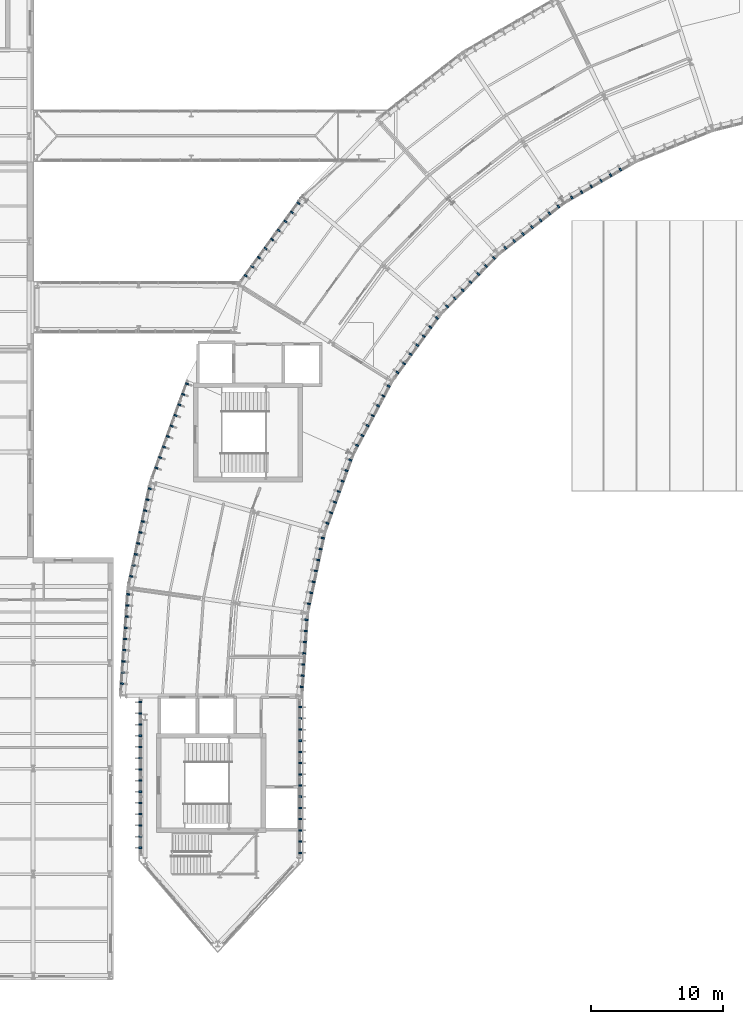
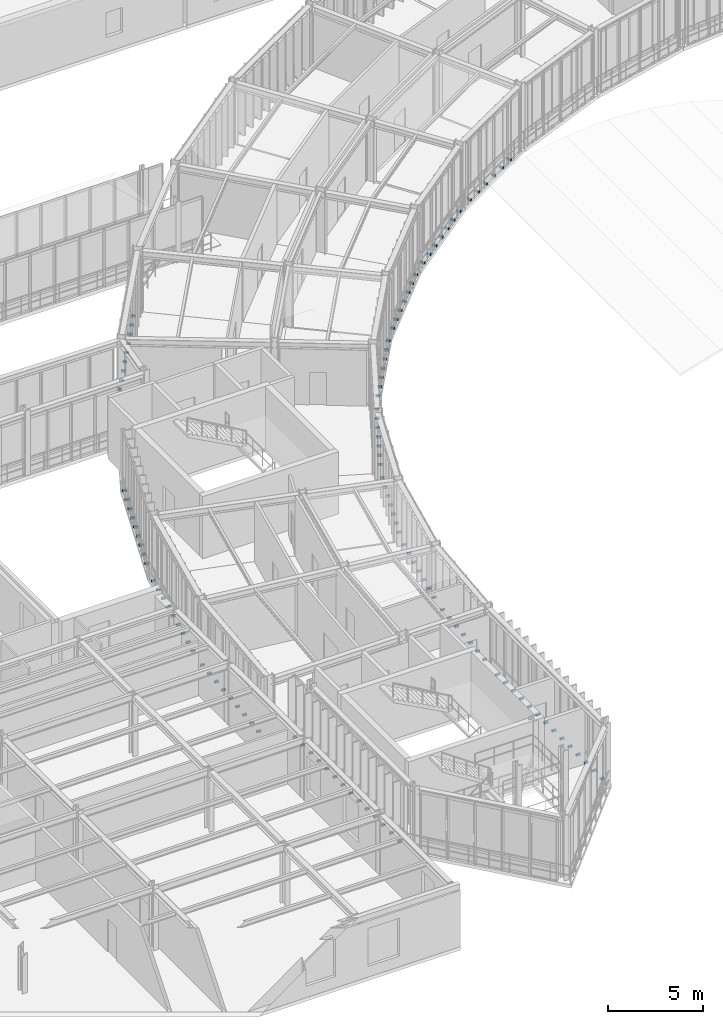
# One storey, part 47 of 57: 119 discrete accessories.
"""IFC4 building model written with IfcOpenShell, lengths in metres."""

from ifc_helpers import new_model, si_unit, direction, frame, origin, origin_2d, place, context, subcontext, project, spatial, rectangle, extrude, material, type_object, element, save


model = new_model("IFC4")

# Units and contexts
model_context = context("Model", 3, precision=1e-05, world=origin(), true_north=direction((0.0, 1.0)))
body_context = subcontext(model_context, "Body", "Model", "MODEL_VIEW")
ifc_project = project(units=[si_unit("LENGTHUNIT", "METRE"), si_unit("AREAUNIT", "SQUARE_METRE"), si_unit("VOLUMEUNIT", "CUBIC_METRE"), si_unit("PLANEANGLEUNIT", "RADIAN"), si_unit("MASSUNIT", "GRAM", prefix="KILO"), si_unit("THERMODYNAMICTEMPERATUREUNIT", "KELVIN"), si_unit("POWERUNIT", "WATT")], contexts=[model_context])

# Site, building, storey
site_placement = place(None, origin())
site = spatial("IfcSite", under=ifc_project, at=site_placement, CompositionType="ELEMENT")
building_placement = place(site_placement, origin())
building = spatial("IfcBuilding", under=site, at=building_placement, Name="Solvatero Civic Police Headquarters", CompositionType="ELEMENT")
storey_placement = place(building_placement, frame((0.0, 0.0, 9.300048828125)))
storey = spatial("IfcBuildingStorey", under=building, at=storey_placement, Name="L02", CompositionType="ELEMENT", Elevation=9.300048828125)

# Discrete accessories
ifc_material = material(Name="Steel S355", Category="steel")
discrete_accessory_type = type_object("IfcDiscreteAccessoryType", Name="ACC-BRK-FIN", PredefinedType="BRACKET", material=ifc_material)
for number, where, z_axis, x_axis, name in (
    (1, (73.04931640625, 65.93505859375, 0.0), (0.0, 0.0, 1.0), (-0.866025403784, -0.5, 0.0), "Slab-Edge Fin Bracket 0439"),
    (2, (72.31298828125, 65.510009765625, 0.0), (0.0, 0.0, 1.0), (-0.866025403784, -0.5, 0.0), "Slab-Edge Fin Bracket 0440"),
    (3, (71.576904296875, 65.0849609375, 0.0), (0.0, 0.0, 1.0), (-0.866025403784, -0.5, 0.0), "Slab-Edge Fin Bracket 0441"),
    (4, (70.8408203125, 64.659912109375, 0.0), (0.0, 0.0, 1.0), (-0.866025403784, -0.5, 0.0), "Slab-Edge Fin Bracket 0442"),
    (5, (70.104736328125, 64.235107421875, 0.0), (0.0, 0.0, 1.0), (-0.866025403784, -0.5, 0.0), "Slab-Edge Fin Bracket 0443"),
    (6, (69.36865234375, 63.81005859375, 0.0), (0.0, 0.0, 1.0), (-0.866025403784, -0.5, 0.0), "Slab-Edge Fin Bracket 0444"),
    (7, (68.34521484375, 63.138427734375, 0.0), (0.0, 0.0, 1.0), (-0.788010753607, -0.615661475326, 0.0), "Slab-Edge Fin Bracket 0454"),
    (8, (67.675537109375, 62.615234375, 0.0), (0.0, 0.0, 1.0), (-0.788010753607, -0.615661475326, 0.0), "Slab-Edge Fin Bracket 0455"),
    (9, (67.005615234375, 62.091796875, 0.0), (0.0, 0.0, 1.0), (-0.788010753607, -0.615661475326, 0.0), "Slab-Edge Fin Bracket 0456"),
    (10, (66.3359375, 61.568603515625, 0.0), (0.0, 0.0, 1.0), (-0.788010753607, -0.615661475326, 0.0), "Slab-Edge Fin Bracket 0457"),
    (11, (65.666015625, 61.045166015625, 0.0), (0.0, 0.0, 1.0), (-0.788010753607, -0.615661475326, 0.0), "Slab-Edge Fin Bracket 0458"),
    (12, (64.996337890625, 60.52197265625, 0.0), (0.0, 0.0, 1.0), (-0.788010753607, -0.615661475326, 0.0), "Slab-Edge Fin Bracket 0459"),
    (13, (64.326416015625, 59.99853515625, 0.0), (0.0, 0.0, 1.0), (-0.788010753607, -0.615661475326, 0.0), "Slab-Edge Fin Bracket 0460"),
    (14, (63.451171875, 59.232421875, 0.0), (0.0, 0.0, 1.0), (-0.694658370459, -0.719339800339, 0.0), "Slab-Edge Fin Bracket 0461"),
    (15, (62.860595703125, 58.620849609375, 0.0), (0.0, 0.0, 1.0), (-0.694658370459, -0.719339800339, 0.0), "Slab-Edge Fin Bracket 0462"),
    (16, (62.270263671875, 58.009521484375, 0.0), (0.0, 0.0, 1.0), (-0.694658370459, -0.719339800339, 0.0), "Slab-Edge Fin Bracket 0463"),
    (17, (61.6796875, 57.39794921875, 0.0), (0.0, 0.0, 1.0), (-0.694658370459, -0.719339800339, 0.0), "Slab-Edge Fin Bracket 0464"),
    (18, (61.08935546875, 56.78662109375, 0.0), (0.0, 0.0, 1.0), (-0.694658370459, -0.719339800339, 0.0), "Slab-Edge Fin Bracket 0465"),
    (19, (60.498779296875, 56.17529296875, 0.0), (0.0, 0.0, 1.0), (-0.694658370459, -0.719339800339, 0.0), "Slab-Edge Fin Bracket 0466"),
    (20, (59.908447265625, 55.563720703125, 0.0), (0.0, 0.0, 1.0), (-0.694658370459, -0.719339800339, 0.0), "Slab-Edge Fin Bracket 0467"),
    (21, (48.62353515625, 63.38818359375, 0.0), (0.0, 0.0, 1.0), (-0.587771132193, -0.80902725304, 0.0), "Slab-Edge Fin Bracket 0468"),
    (22, (48.1240234375, 62.70068359375, 0.0), (0.0, 0.0, 1.0), (-0.587771132193, -0.80902725304, 0.0), "Slab-Edge Fin Bracket 0469"),
    (23, (47.62451171875, 62.012939453125, 0.0), (0.0, 0.0, 1.0), (-0.587771132193, -0.80902725304, 0.0), "Slab-Edge Fin Bracket 0470"),
    (24, (47.124755859375, 61.3251953125, 0.0), (0.0, 0.0, 1.0), (-0.587771132193, -0.80902725304, 0.0), "Slab-Edge Fin Bracket 0471"),
    (25, (46.625, 60.6376953125, 0.0), (0.0, 0.0, 1.0), (-0.587771132193, -0.80902725304, 0.0), "Slab-Edge Fin Bracket 0472"),
    (26, (46.12548828125, 59.949951171875, 0.0), (0.0, 0.0, 1.0), (-0.587771132193, -0.80902725304, 0.0), "Slab-Edge Fin Bracket 0473"),
    (27, (45.6259765625, 59.26220703125, 0.0), (0.0, 0.0, 1.0), (-0.587771132193, -0.80902725304, 0.0), "Slab-Edge Fin Bracket 0474"),
    (28, (45.126220703125, 58.57470703125, 0.0), (0.0, 0.0, 1.0), (-0.587771132193, -0.80902725304, 0.0), "Slab-Edge Fin Bracket 0475"),
    (29, (44.626708984375, 57.886962890625, 0.0), (0.0, 0.0, 1.0), (-0.587771132193, -0.80902725304, 0.0), "Slab-Edge Fin Bracket 0476"),
    (30, (59.136962890625, 54.676025390625, 0.0), (0.0, 0.0, 1.0), (-0.587785252292, -0.809016994375, 0.0), "Slab-Edge Fin Bracket 0477"),
    (31, (58.637451171875, 53.98828125, 0.0), (0.0, 0.0, 1.0), (-0.587785252292, -0.809016994375, 0.0), "Slab-Edge Fin Bracket 0478"),
    (32, (58.1376953125, 53.30078125, 0.0), (0.0, 0.0, 1.0), (-0.587785252292, -0.809016994375, 0.0), "Slab-Edge Fin Bracket 0479"),
    (33, (57.63818359375, 52.613037109375, 0.0), (0.0, 0.0, 1.0), (-0.587785252292, -0.809016994375, 0.0), "Slab-Edge Fin Bracket 0480"),
    (34, (57.138427734375, 51.92529296875, 0.0), (0.0, 0.0, 1.0), (-0.587785252292, -0.809016994375, 0.0), "Slab-Edge Fin Bracket 0481"),
    (35, (56.638916015625, 51.23779296875, 0.0), (0.0, 0.0, 1.0), (-0.587785252292, -0.809016994375, 0.0), "Slab-Edge Fin Bracket 0482"),
    (36, (56.139404296875, 50.550048828125, 0.0), (0.0, 0.0, 1.0), (-0.587785252292, -0.809016994375, 0.0), "Slab-Edge Fin Bracket 0483"),
    (37, (55.469482421875, 49.514892578125, 0.0), (0.0, 0.0, 1.0), (-0.469471562786, -0.882947592859, 0.0), "Slab-Edge Fin Bracket 0484"),
    (38, (55.0703125, 48.764404296875, 0.0), (0.0, 0.0, 1.0), (-0.469471562786, -0.882947592859, 0.0), "Slab-Edge Fin Bracket 0485"),
    (39, (54.671142578125, 48.013916015625, 0.0), (0.0, 0.0, 1.0), (-0.469471562786, -0.882947592859, 0.0), "Slab-Edge Fin Bracket 0486"),
    (40, (54.272216796875, 47.263427734375, 0.0), (0.0, 0.0, 1.0), (-0.469471562786, -0.882947592859, 0.0), "Slab-Edge Fin Bracket 0487"),
    (41, (53.873046875, 46.512939453125, 0.0), (0.0, 0.0, 1.0), (-0.469471562786, -0.882947592859, 0.0), "Slab-Edge Fin Bracket 0488"),
    (42, (53.47412109375, 45.762451171875, 0.0), (0.0, 0.0, 1.0), (-0.469471562786, -0.882947592859, 0.0), "Slab-Edge Fin Bracket 0489"),
    (43, (53.074951171875, 45.011962890625, 0.0), (0.0, 0.0, 1.0), (-0.469471562786, -0.882947592859, 0.0), "Slab-Edge Fin Bracket 0490"),
    (44, (40.16845703125, 49.687255859375, 0.0), (0.0, 0.0, 1.0), (-0.342020143326, -0.939692620786, 0.0), "Slab-Edge Fin Bracket 0491"),
    (45, (39.877685546875, 48.888427734375, 0.0), (0.0, 0.0, 1.0), (-0.342020143326, -0.939692620786, 0.0), "Slab-Edge Fin Bracket 0492"),
    (46, (39.587158203125, 48.08984375, 0.0), (0.0, 0.0, 1.0), (-0.342020143326, -0.939692620786, 0.0), "Slab-Edge Fin Bracket 0493"),
    (47, (39.29638671875, 47.291015625, 0.0), (0.0, 0.0, 1.0), (-0.342020143326, -0.939692620786, 0.0), "Slab-Edge Fin Bracket 0494"),
    (48, (39.005615234375, 46.4921875, 0.0), (0.0, 0.0, 1.0), (-0.342020143326, -0.939692620786, 0.0), "Slab-Edge Fin Bracket 0495"),
    (49, (38.71484375, 45.693603515625, 0.0), (0.0, 0.0, 1.0), (-0.342020143326, -0.939692620786, 0.0), "Slab-Edge Fin Bracket 0496"),
    (50, (38.42431640625, 44.894775390625, 0.0), (0.0, 0.0, 1.0), (-0.342020143326, -0.939692620786, 0.0), "Slab-Edge Fin Bracket 0497"),
    (51, (38.133544921875, 44.09619140625, 0.0), (0.0, 0.0, 1.0), (-0.342020143326, -0.939692620786, 0.0), "Slab-Edge Fin Bracket 0498"),
    (52, (37.8427734375, 43.29736328125, 0.0), (0.0, 0.0, 1.0), (-0.342020143326, -0.939692620786, 0.0), "Slab-Edge Fin Bracket 0499"),
    (53, (52.56298828125, 43.900146484375, 0.0), (0.0, 0.0, 1.0), (-0.342003742543, -0.93969859002, 0.0), "Slab-Edge Fin Bracket 0500"),
    (54, (52.2724609375, 43.101318359375, 0.0), (0.0, 0.0, 1.0), (-0.342003742543, -0.93969859002, 0.0), "Slab-Edge Fin Bracket 0501"),
    (55, (51.981689453125, 42.302734375, 0.0), (0.0, 0.0, 1.0), (-0.342003742543, -0.93969859002, 0.0), "Slab-Edge Fin Bracket 0502"),
    (56, (51.69091796875, 41.50390625, 0.0), (0.0, 0.0, 1.0), (-0.342003742543, -0.93969859002, 0.0), "Slab-Edge Fin Bracket 0503"),
    (57, (51.400390625, 40.705078125, 0.0), (0.0, 0.0, 1.0), (-0.342003742543, -0.93969859002, 0.0), "Slab-Edge Fin Bracket 0504"),
    (58, (51.109619140625, 39.906494140625, 0.0), (0.0, 0.0, 1.0), (-0.342003742543, -0.93969859002, 0.0), "Slab-Edge Fin Bracket 0505"),
    (59, (50.81884765625, 39.107666015625, 0.0), (0.0, 0.0, 1.0), (-0.342003742543, -0.93969859002, 0.0), "Slab-Edge Fin Bracket 0506"),
    (60, (37.346923828125, 41.73486328125, 0.0), (0.0, 0.0, 1.0), (-0.207911690818, -0.978147600734, 0.0), "Slab-Edge Fin Bracket 0507"),
    (61, (37.170166015625, 40.9033203125, 0.0), (0.0, 0.0, 1.0), (-0.207911690818, -0.978147600734, 0.0), "Slab-Edge Fin Bracket 0508"),
    (62, (36.993408203125, 40.072021484375, 0.0), (0.0, 0.0, 1.0), (-0.207911690818, -0.978147600734, 0.0), "Slab-Edge Fin Bracket 0509"),
    (63, (36.816650390625, 39.240478515625, 0.0), (0.0, 0.0, 1.0), (-0.207911690818, -0.978147600734, 0.0), "Slab-Edge Fin Bracket 0510"),
    (64, (36.639892578125, 38.4091796875, 0.0), (0.0, 0.0, 1.0), (-0.207911690818, -0.978147600734, 0.0), "Slab-Edge Fin Bracket 0511"),
    (65, (36.46337890625, 37.57763671875, 0.0), (0.0, 0.0, 1.0), (-0.207911690818, -0.978147600734, 0.0), "Slab-Edge Fin Bracket 0512"),
    (66, (36.28662109375, 36.746337890625, 0.0), (0.0, 0.0, 1.0), (-0.207911690818, -0.978147600734, 0.0), "Slab-Edge Fin Bracket 0513"),
    (67, (36.10986328125, 35.914794921875, 0.0), (0.0, 0.0, 1.0), (-0.207911690818, -0.978147600734, 0.0), "Slab-Edge Fin Bracket 0514"),
    (68, (35.93310546875, 35.08349609375, 0.0), (0.0, 0.0, 1.0), (-0.207911690818, -0.978147600734, 0.0), "Slab-Edge Fin Bracket 0515"),
    (69, (50.48046875, 37.983642578125, 0.0), (0.0, 0.0, 1.0), (-0.207911690818, -0.978147600734, 0.0), "Slab-Edge Fin Bracket 0516"),
    (70, (50.3037109375, 37.152099609375, 0.0), (0.0, 0.0, 1.0), (-0.207911690818, -0.978147600734, 0.0), "Slab-Edge Fin Bracket 0517"),
    (71, (50.126953125, 36.32080078125, 0.0), (0.0, 0.0, 1.0), (-0.207911690818, -0.978147600734, 0.0), "Slab-Edge Fin Bracket 0518"),
    (72, (49.9501953125, 35.4892578125, 0.0), (0.0, 0.0, 1.0), (-0.207911690818, -0.978147600734, 0.0), "Slab-Edge Fin Bracket 0519"),
    (73, (49.7734375, 34.657958984375, 0.0), (0.0, 0.0, 1.0), (-0.207911690818, -0.978147600734, 0.0), "Slab-Edge Fin Bracket 0520"),
    (74, (49.5966796875, 33.826416015625, 0.0), (0.0, 0.0, 1.0), (-0.207911690818, -0.978147600734, 0.0), "Slab-Edge Fin Bracket 0521"),
    (75, (49.419921875, 32.9951171875, 0.0), (0.0, 0.0, 1.0), (-0.207911690818, -0.978147600734, 0.0), "Slab-Edge Fin Bracket 0522"),
    (76, (35.7099609375, 33.72021484375, 0.0), (0.0, 0.0, 1.0), (-0.069756473744, -0.99756405026, 0.0), "Slab-Edge Fin Bracket 0523"),
    (77, (35.650634765625, 32.872314453125, 0.0), (0.0, 0.0, 1.0), (-0.069756473744, -0.99756405026, 0.0), "Slab-Edge Fin Bracket 0524"),
    (78, (35.59130859375, 32.0244140625, 0.0), (0.0, 0.0, 1.0), (-0.069756473744, -0.99756405026, 0.0), "Slab-Edge Fin Bracket 0525"),
    (79, (35.531982421875, 31.176513671875, 0.0), (0.0, 0.0, 1.0), (-0.069756473744, -0.99756405026, 0.0), "Slab-Edge Fin Bracket 0526"),
    (80, (35.472900390625, 30.32861328125, 0.0), (0.0, 0.0, 1.0), (-0.069756473744, -0.99756405026, 0.0), "Slab-Edge Fin Bracket 0527"),
    (81, (35.41357421875, 29.480712890625, 0.0), (0.0, 0.0, 1.0), (-0.069756473744, -0.99756405026, 0.0), "Slab-Edge Fin Bracket 0528"),
    (82, (35.354248046875, 28.632568359375, 0.0), (0.0, 0.0, 1.0), (-0.069756473744, -0.99756405026, 0.0), "Slab-Edge Fin Bracket 0529"),
    (83, (35.294921875, 27.78466796875, 0.0), (0.0, 0.0, 1.0), (-0.069756473744, -0.99756405026, 0.0), "Slab-Edge Fin Bracket 0530"),
    (84, (35.235595703125, 26.936767578125, 0.0), (0.0, 0.0, 1.0), (-0.069756473744, -0.99756405026, 0.0), "Slab-Edge Fin Bracket 0531"),
    (85, (49.234375, 31.78515625, 0.0), (0.0, 0.0, 1.0), (-0.069756473744, -0.99756405026, 0.0), "Slab-Edge Fin Bracket 0532"),
    (86, (49.175048828125, 30.937255859375, 0.0), (0.0, 0.0, 1.0), (-0.069756473744, -0.99756405026, 0.0), "Slab-Edge Fin Bracket 0533"),
    (87, (49.11572265625, 30.08935546875, 0.0), (0.0, 0.0, 1.0), (-0.069756473744, -0.99756405026, 0.0), "Slab-Edge Fin Bracket 0534"),
    (88, (49.056396484375, 29.241455078125, 0.0), (0.0, 0.0, 1.0), (-0.069756473744, -0.99756405026, 0.0), "Slab-Edge Fin Bracket 0535"),
    (89, (48.997314453125, 28.3935546875, 0.0), (0.0, 0.0, 1.0), (-0.069756473744, -0.99756405026, 0.0), "Slab-Edge Fin Bracket 0536"),
    (90, (48.93798828125, 27.54541015625, 0.0), (0.0, 0.0, 1.0), (-0.069756473744, -0.99756405026, 0.0), "Slab-Edge Fin Bracket 0537"),
    (91, (48.878662109375, 26.697509765625, 0.0), (0.0, 0.0, 1.0), (-0.069756473744, -0.99756405026, 0.0), "Slab-Edge Fin Bracket 0538"),
    (92, (36.6298828125, 25.5400390625, 0.0), (0.0, 0.0, 1.0), (0.0, -1.0, 0.0), "Slab-Edge Fin Bracket 0539"),
    (93, (36.6298828125, 24.68994140625, 0.0), (0.0, 0.0, 1.0), (0.0, -1.0, 0.0), "Slab-Edge Fin Bracket 0540"),
    (94, (36.6298828125, 23.840087890625, 0.0), (0.0, 0.0, 1.0), (0.0, -1.0, 0.0), "Slab-Edge Fin Bracket 0541"),
    (95, (36.6298828125, 22.989990234375, 0.0), (0.0, 0.0, 1.0), (0.0, -1.0, 0.0), "Slab-Edge Fin Bracket 0542"),
    (96, (36.6298828125, 22.139892578125, 0.0), (0.0, 0.0, 1.0), (0.0, -1.0, 0.0), "Slab-Edge Fin Bracket 0543"),
    (97, (36.6298828125, 21.2900390625, 0.0), (0.0, 0.0, 1.0), (0.0, -1.0, 0.0), "Slab-Edge Fin Bracket 0544"),
    (98, (36.6298828125, 20.43994140625, 0.0), (0.0, 0.0, 1.0), (0.0, -1.0, 0.0), "Slab-Edge Fin Bracket 0545"),
    (99, (36.6298828125, 19.590087890625, 0.0), (0.0, 0.0, 1.0), (0.0, -1.0, 0.0), "Slab-Edge Fin Bracket 0546"),
    (100, (36.6298828125, 18.739990234375, 0.0), (0.0, 0.0, 1.0), (0.0, -1.0, 0.0), "Slab-Edge Fin Bracket 0547"),
    (101, (36.6298828125, 17.889892578125, 0.0), (0.0, 0.0, 1.0), (0.0, -1.0, 0.0), "Slab-Edge Fin Bracket 0548"),
    (102, (36.6298828125, 17.0400390625, 0.0), (0.0, 0.0, 1.0), (0.0, -1.0, 0.0), "Slab-Edge Fin Bracket 0549"),
    (103, (36.6298828125, 16.18994140625, 0.0), (0.0, 0.0, 1.0), (0.0, -1.0, 0.0), "Slab-Edge Fin Bracket 0550"),
    (104, (36.6298828125, 15.340087890625, 0.0), (0.0, 0.0, 1.0), (0.0, -1.0, 0.0), "Slab-Edge Fin Bracket 0551"),
    (105, (36.6298828125, 14.489990234375, 0.0), (0.0, 0.0, 1.0), (0.0, -1.0, 0.0), "Slab-Edge Fin Bracket 0552"),
    (106, (48.77001953125, 14.110107421875, 0.0), (0.0, 0.0, 1.0), (0.0, 1.0, 0.0), "Slab-Edge Fin Bracket 0553"),
    (107, (48.77001953125, 14.9599609375, 0.0), (0.0, 0.0, 1.0), (0.0, 1.0, 0.0), "Slab-Edge Fin Bracket 0554"),
    (108, (48.77001953125, 15.81005859375, 0.0), (0.0, 0.0, 1.0), (0.0, 1.0, 0.0), "Slab-Edge Fin Bracket 0555"),
    (109, (48.77001953125, 16.659912109375, 0.0), (0.0, 0.0, 1.0), (0.0, 1.0, 0.0), "Slab-Edge Fin Bracket 0556"),
    (110, (48.77001953125, 17.510009765625, 0.0), (0.0, 0.0, 1.0), (0.0, 1.0, 0.0), "Slab-Edge Fin Bracket 0557"),
    (111, (48.77001953125, 18.360107421875, 0.0), (0.0, 0.0, 1.0), (0.0, 1.0, 0.0), "Slab-Edge Fin Bracket 0558"),
    (112, (48.77001953125, 19.2099609375, 0.0), (0.0, 0.0, 1.0), (0.0, 1.0, 0.0), "Slab-Edge Fin Bracket 0559"),
    (113, (48.77001953125, 20.06005859375, 0.0), (0.0, 0.0, 1.0), (0.0, 1.0, 0.0), "Slab-Edge Fin Bracket 0560"),
    (114, (48.77001953125, 20.909912109375, 0.0), (0.0, 0.0, 1.0), (0.0, 1.0, 0.0), "Slab-Edge Fin Bracket 0561"),
    (115, (48.77001953125, 21.760009765625, 0.0), (0.0, 0.0, 1.0), (0.0, 1.0, 0.0), "Slab-Edge Fin Bracket 0562"),
    (116, (48.77001953125, 22.610107421875, 0.0), (0.0, 0.0, 1.0), (0.0, 1.0, 0.0), "Slab-Edge Fin Bracket 0563"),
    (117, (48.77001953125, 23.4599609375, 0.0), (0.0, 0.0, 1.0), (0.0, 1.0, 0.0), "Slab-Edge Fin Bracket 0564"),
    (118, (48.77001953125, 24.31005859375, 0.0), (0.0, 0.0, 1.0), (0.0, 1.0, 0.0), "Slab-Edge Fin Bracket 0565"),
    (119, (48.77001953125, 25.159912109375, 0.0), (0.0, 0.0, 1.0), (0.0, 1.0, 0.0), "Slab-Edge Fin Bracket 0566"),
):
    element("IfcDiscreteAccessory", number, at=place(storey_placement, frame(where, z_axis=z_axis, x_axis=x_axis)), inside=storey, type_object=discrete_accessory_type, Name=name, PredefinedType="BRACKET", context=body_context, shape_type="SweptSolid", body=[
        extrude(rectangle(XDim=0.1201171875, YDim=0.239990234375, at=origin_2d()), origin(), (0.0, 0.0, 1.0), 0.1201171875),
    ])

save(model, "model.ifc")
